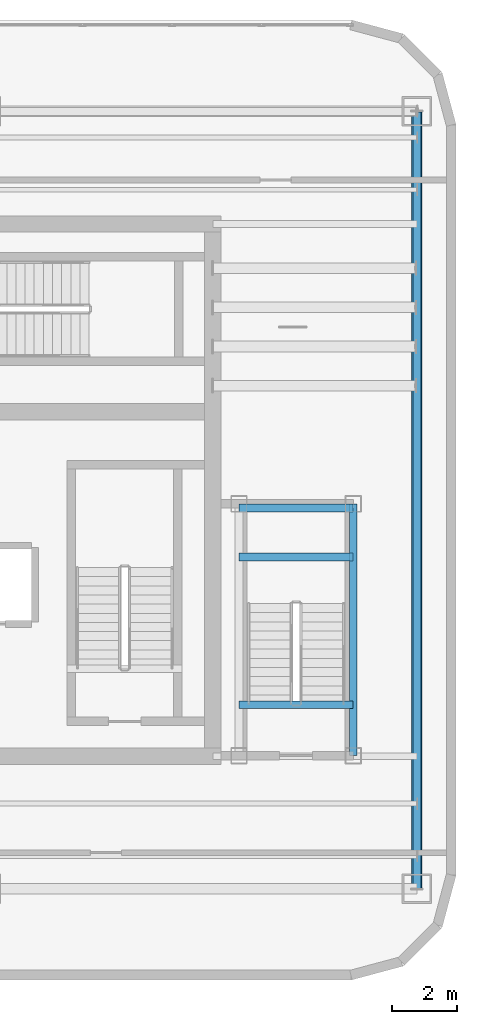
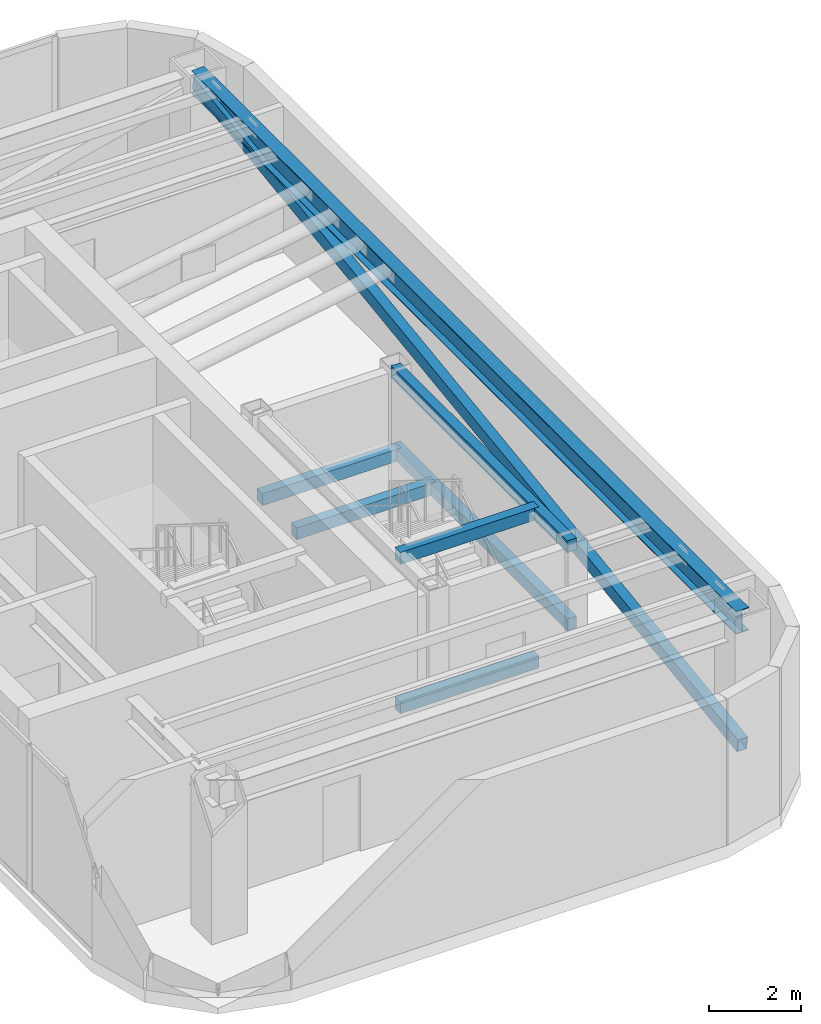
# One storey, part 4 of 9: 7 beams, 1 member.
"""IFC4 building model written with IfcOpenShell, lengths in metres."""

import ifcopenshell
import ifcopenshell.guid

model = None  # the IFC model being written
_history = None  # IfcOwnerHistory: only IFC2X3 demands one
_inside = {}  # id of a spatial element -> (the spatial element, [elements in it])
_under = {}  # id of a project, library or spatial element -> (it, [spatial elements below it])
_declared = {}  # id of a project -> (the project, [libraries it declares])
_typed = {}  # id of a type object -> (the type object, [elements of that type])
_made_of = {}  # id of a material, layer set ... -> (it, [elements and type objects made of it])


def new_model(schema):
    """Start an empty IFC model of exactly this schema.

    Asked for "IFC4X3", IfcOpenShell would pick the latest addendum, in which some entities
    have other attributes; the version numbers below select the first issue.
    IFC2X3 requires an IfcOwnerHistory on every rooted entity: one is made here for all.
    """
    global model, _history
    if schema == "IFC4X3":
        model = ifcopenshell.file(schema_version=(4, 3, 0, 0))
    else:
        model = ifcopenshell.file(schema=schema)
    _inside.clear()
    _under.clear()
    _declared.clear()
    _typed.clear()
    _made_of.clear()
    _history = None
    if model.schema == "IFC2X3":
        org = make("IfcOrganization", Name="unknown")
        user = make(
            "IfcPersonAndOrganization",
            ThePerson=make("IfcPerson", FamilyName="unknown"),
            TheOrganization=org,
        )
        app = make(
            "IfcApplication",
            ApplicationDeveloper=org,
            Version="unknown",
            ApplicationFullName="unknown",
            ApplicationIdentifier="unknown",
        )
        _history = make(
            "IfcOwnerHistory",
            OwningUser=user,
            OwningApplication=app,
            ChangeAction="ADDED",
            CreationDate=0,
        )
    return model


def make(cls, **values):
    """One entity of the class cls with the attributes given. An attribute that is None is left unset."""
    return model.create_entity(
        cls, **{name: value for name, value in values.items() if value is not None}
    )


def rooted(cls, **values):
    """An entity with a GlobalId (a new one), such as an element, a storey or a relation."""
    return make(cls, GlobalId=ifcopenshell.guid.new(), OwnerHistory=_history, **values)


def si_unit(unit_type, name, prefix=None):
    """IfcSIUnit, for example si_unit("LENGTHUNIT", "METRE", prefix="MILLI")."""
    return make("IfcSIUnit", UnitType=unit_type, Prefix=prefix, Name=name)


def assignment(units):
    """IfcUnitAssignment: the units of a project."""
    return None if units is None else make("IfcUnitAssignment", Units=units)


def point(xyz):
    """IfcCartesianPoint."""
    return None if xyz is None else make("IfcCartesianPoint", Coordinates=xyz)


def direction(xyz):
    """IfcDirection."""
    return None if xyz is None else make("IfcDirection", DirectionRatios=xyz)


def frame(location, z_axis=None, x_axis=None):
    """IfcAxis2Placement3D, a coordinate frame: its origin and axes. An axis left out is left unset."""
    return make(
        "IfcAxis2Placement3D",
        Location=point(location),
        Axis=direction(z_axis),
        RefDirection=direction(x_axis),
    )


def frame_2d(location, x_axis=None):
    """IfcAxis2Placement2D, a coordinate frame in the plane: its origin and x axis."""
    return make(
        "IfcAxis2Placement2D", Location=point(location), RefDirection=direction(x_axis)
    )


def origin():
    """The frame at (0, 0, 0) with its axes left unset."""
    return frame((0.0, 0.0, 0.0))


def origin_2d():
    """The frame at (0, 0) in the plane with its x axis left unset."""
    return frame_2d((0.0, 0.0))


def place(relative_to, where):
    """IfcLocalPlacement: puts the frame where relative to a parent placement (None: the world)."""
    return make(
        "IfcLocalPlacement", PlacementRelTo=relative_to, RelativePlacement=where
    )


def context(
    kind, dimensions, precision=None, world=None, true_north=None, identifier=None
):
    """IfcGeometricRepresentationContext, for example the 3D "Model" context."""
    return make(
        "IfcGeometricRepresentationContext",
        ContextIdentifier=identifier,
        ContextType=kind,
        CoordinateSpaceDimension=dimensions,
        Precision=precision,
        WorldCoordinateSystem=world,
        TrueNorth=true_north,
    )


def subcontext(parent, identifier, kind, view, scale=None):
    """IfcGeometricRepresentationSubContext, for example "Body" below "Model"."""
    return make(
        "IfcGeometricRepresentationSubContext",
        ContextIdentifier=identifier,
        ContextType=kind,
        ParentContext=parent,
        TargetScale=scale,
        TargetView=view,
    )


def project(units=None, contexts=None):
    """IfcProject with its units and contexts."""
    return rooted(
        "IfcProject",
        Name="project",
        RepresentationContexts=contexts,
        UnitsInContext=assignment(units),
    )


def spatial(cls, under=None, at=None, **own):
    """A site, building, storey or space (cls), placed at a placement, below another one or the project."""
    s = rooted(cls, ObjectPlacement=at, **own)
    if under is not None:
        _under.setdefault(under.id(), (under, []))[1].append(s)
    return s


def profile(cls, at=None, kind="AREA", **sizes):
    """A parametric profile (cls). Its sizes go by their IFC names, for example OverallWidth=200.0."""
    return make(cls, ProfileType=kind, Position=at, **sizes)


def rectangle(**sizes):
    """IfcRectangleProfileDef."""
    return profile("IfcRectangleProfileDef", **sizes)


def hollow_rectangle(**sizes):
    """IfcRectangleHollowProfileDef."""
    return profile("IfcRectangleHollowProfileDef", **sizes)


def i_section(**sizes):
    """IfcIShapeProfileDef."""
    return profile("IfcIShapeProfileDef", **sizes)


def extrude(swept, where, along, depth):
    """IfcExtrudedAreaSolid: the profile swept, set in the frame where, extruded along a direction by depth."""
    return make(
        "IfcExtrudedAreaSolid",
        SweptArea=swept,
        Position=where,
        ExtrudedDirection=direction(along),
        Depth=depth,
    )


def shape(context_of_items, identifier, shape_type, items):
    """IfcShapeRepresentation: the items that make up one representation, for example the "Body"."""
    return make(
        "IfcShapeRepresentation",
        ContextOfItems=context_of_items,
        RepresentationIdentifier=identifier,
        RepresentationType=shape_type,
        Items=items,
    )


def material(Name=None, Category=None):
    """IfcMaterial."""
    return make("IfcMaterial", Name=Name, Category=Category)


def material_profile(
    of_material, cross_section, Name=None, Category=None, Priority=None
):
    """IfcMaterialProfile: a cross section and its material."""
    return make(
        "IfcMaterialProfile",
        Name=Name,
        Material=of_material,
        Profile=cross_section,
        Priority=Priority,
        Category=Category,
    )


def profile_set(profiles, Name=None, composite=None):
    """IfcMaterialProfileSet."""
    return make(
        "IfcMaterialProfileSet",
        Name=Name,
        MaterialProfiles=profiles,
        CompositeProfile=composite,
    )


def made_of(thing, what):
    """Note that an element or type object is made of a material, layer set ...; save() writes the relation."""
    if what is not None:
        _made_of.setdefault(what.id(), (what, []))[1].append(thing)
    return thing


def type_object(cls, material=None, **own):
    """A type object (cls), such as IfcWallType, which elements share."""
    return made_of(rooted(cls, **own), material)


def element(
    cls,
    number,
    at=None,
    inside=None,
    cuts=None,
    type_object=None,
    material=None,
    context=None,
    identifier="Body",
    shape_type=None,
    held_by="IfcProductDefinitionShape",
    body=None,
    shapes=None,
    **own,
):
    """One element of the class cls, such as IfcWall. Its Tag is "e" and its number.

    at: its placement. inside: the storey or other place that contains it. cuts: it is an
    opening in that element (IfcRelVoidsElement). A single representation is given by context,
    identifier, shape_type and body (its items); several are given by shapes. held_by: the class
    of the entity that holds the representations. save() writes the other relations.
    """
    e = rooted(cls, Tag="e%d" % number, ObjectPlacement=at, **own)
    if body is not None:
        shapes = [shape(context, identifier, shape_type, body)]
    if shapes is not None:
        e.Representation = make(held_by, Representations=shapes)
    if inside is not None:
        _inside.setdefault(inside.id(), (inside, []))[1].append(e)
    if cuts is not None:
        rooted(
            "IfcRelVoidsElement", RelatingBuildingElement=cuts, RelatedOpeningElement=e
        )
    if type_object is not None:
        _typed.setdefault(type_object.id(), (type_object, []))[1].append(e)
    return made_of(e, material)


def aggregate(whole, parts):
    """IfcRelAggregates: a whole, such as a stair, and the parts it consists of."""
    return rooted("IfcRelAggregates", RelatingObject=whole, RelatedObjects=parts)


def save(model, path):
    """Write the relations noted so far, then the file.

    IfcRelAggregates (storeys below a building ...), IfcRelContainedInSpatialStructure (elements
    in a storey), IfcRelDefinesByType, IfcRelAssociatesMaterial and IfcRelDeclares: one each for
    every whole, place, type object, material and project.
    """
    for whole, parts in _under.values():
        aggregate(whole, parts)
    for where, things in _inside.values():
        rooted(
            "IfcRelContainedInSpatialStructure",
            RelatedElements=things,
            RelatingStructure=where,
        )
    for kind, things in _typed.values():
        rooted("IfcRelDefinesByType", RelatedObjects=things, RelatingType=kind)
    for what, things in _made_of.values():
        rooted("IfcRelAssociatesMaterial", RelatedObjects=things, RelatingMaterial=what)
    for by, libraries in _declared.values():
        rooted("IfcRelDeclares", RelatingContext=by, RelatedDefinitions=libraries)
    model.write(path)


model = new_model("IFC4")

# Units and contexts
model_context = context("Model", 3, precision=1e-05, world=origin(), true_north=direction((0.0, 1.0)))
body_context = subcontext(model_context, "Body", "Model", "MODEL_VIEW")
ifc_project = project(units=[si_unit("LENGTHUNIT", "METRE"), si_unit("AREAUNIT", "SQUARE_METRE"), si_unit("VOLUMEUNIT", "CUBIC_METRE"), si_unit("PLANEANGLEUNIT", "RADIAN"), si_unit("MASSUNIT", "GRAM", prefix="KILO")], contexts=[model_context])

# Site, building, storey
site_placement = place(None, origin())
site = spatial("IfcSite", under=ifc_project, at=site_placement, CompositionType="ELEMENT")
building_placement = place(site_placement, origin())
building = spatial("IfcBuilding", under=site, at=building_placement, Name="Kiyonajd Concourse Tower", CompositionType="ELEMENT")
storey_placement = place(building_placement, frame((0.0, 0.0, 372.89990234375)))
storey = spatial("IfcBuildingStorey", under=building, at=storey_placement, Name="L93", CompositionType="ELEMENT", Elevation=372.89990234375)

# Beams
ifc_material_1 = material(Name="Concrete C50/60", Category="concrete")
ifc_material_profile_1 = material_profile(ifc_material_1, rectangle(XDim=0.239990234375, YDim=0.320068359375, at=origin_2d()), Name="RCBM-240x320")
ifc_profile_set_1 = profile_set([ifc_material_profile_1], Name="Concrete C50/60")
beam_type_1 = type_object("IfcBeamType", Name="BM-LNT-250", PredefinedType="LINTEL", material=ifc_profile_set_1)
for number, where, z_axis, x_axis, name in (
    (1, (64.14990234375, 29.429931640625, -0.159912109375), (1.0, 0.0, 0.0), (0.0, 1.0, 0.0), "L93 Stair ST6 Threshold Support Beam"),
    (2, (64.14990234375, 33.949951171875, 1.739990234375), (1.0, 0.0, 0.0), (0.0, 1.0, 0.0), "L93 Stair ST6 Landing Support Beam"),
    (3, (64.14990234375, 35.449951171875, 1.739990234375), (1.0, 0.0, 0.0), (0.0, 1.0, 0.0), "L93 Stair ST6 Landing Support Beam"),
):
    element("IfcBeam", number, at=place(storey_placement, frame(where, z_axis=z_axis, x_axis=x_axis)), inside=storey, type_object=beam_type_1, Name=name, PredefinedType="LINTEL", context=body_context, shape_type="SweptSolid", body=[
        extrude(rectangle(XDim=0.239990234375, YDim=0.320068359375, at=origin_2d()), origin(), (0.0, 0.0, 1.0), 3.5),
    ])
for number, where, z_axis, x_axis, name in (
    (4, (67.64990234375, 27.8701171875, 1.739990234375), (0.0, 1.0, 0.0), (-1.0, 0.0, 0.0), "L93 Stair ST6 Side Stringer Beam"),
    (5, (67.64990234375, 27.8701171875, 3.820068359375), (0.0, 1.0, 0.0), (-1.0, 0.0, 0.0), "L93 Stair ST6 Roof Rim Beam TOP-E"),
):
    element("IfcBeam", number, at=place(storey_placement, frame(where, z_axis=z_axis, x_axis=x_axis)), inside=storey, type_object=beam_type_1, Name=name, PredefinedType="LINTEL", context=body_context, shape_type="SweptSolid", body=[
        extrude(rectangle(XDim=0.239990234375, YDim=0.320068359375, at=origin_2d()), origin(), (0.0, 0.0, 1.0), 7.7099609375),
    ])
beam_1_placement = place(storey_placement, frame((64.14990234375, 29.429931640625, 3.820068359375), z_axis=(1.0, 0.0, 0.0), x_axis=(0.0, 1.0, 0.0)))
element("IfcBeam", 6, at=beam_1_placement, inside=storey, type_object=beam_type_1, Name="ROOF Stair ST6 Threshold Support Beam", PredefinedType="LINTEL", context=body_context, shape_type="SweptSolid", body=[
    extrude(rectangle(XDim=0.239990234375, YDim=0.320068359375, at=origin_2d()), origin(), (0.0, 0.0, 1.0), 3.5),
])
ifc_material_2 = material(Name="Steel ASTM A992 Grade 50", Category="steel")
ifc_material_profile_2 = material_profile(ifc_material_2, i_section(OverallWidth=0.323974609375, OverallDepth=0.611083984375, WebThickness=0.0126953125, FlangeThickness=0.01904296875, at=origin_2d()), Name="W610X155")
ifc_profile_set_2 = profile_set([ifc_material_profile_2], Name="Steel ASTM A992 Grade 50")
beam_type_2 = type_object("IfcBeamType", Name="BM-TWR-610B", PredefinedType="BEAM", material=ifc_profile_set_2)
beam_2_placement = place(storey_placement, frame((69.60009765625, 23.800048828125, 3.594482421875), z_axis=(0.0, 1.0, 0.0), x_axis=(-1.0, 0.0, 0.0)))
element("IfcBeam", 7, at=beam_2_placement, inside=storey, type_object=beam_type_2, Name="L93 E Crown Ring Beam 2", PredefinedType="BEAM", context=body_context, shape_type="SweptSolid", body=[
    extrude(i_section(OverallWidth=0.323974609375, OverallDepth=0.611083984375, WebThickness=0.0126953125, FlangeThickness=0.01904296875, at=origin_2d()), origin(), (0.0, 0.0, 1.0), 23.800048828125),
])

# Member
ifc_material_3 = material(Name="Steel ASTM A500 Grade C", Category="steel")
ifc_material_profile_3 = material_profile(ifc_material_3, hollow_rectangle(XDim=0.25, YDim=0.35009765625, WallThickness=0.01611328125, at=origin_2d()), Name="HSS-350x250x16")
ifc_profile_set_3 = profile_set([ifc_material_profile_3], Name="Steel ASTM A500 Grade C")
member_type = type_object("IfcMemberType", Name="MB-CRN-BRC", PredefinedType="BRACE", material=ifc_profile_set_3)
member_placement = place(storey_placement, frame((69.60009765625, 23.800048828125, 0.300048828125), z_axis=(0.0, 0.990804854905, 0.135298704708), x_axis=(-1.0, 0.0, 0.0)))
element("IfcMember", 8, at=member_placement, inside=storey, type_object=member_type, Name="L93 E Crown Wind Brace 2", PredefinedType="BRACE", context=body_context, shape_type="SweptSolid", body=[
    extrude(hollow_rectangle(XDim=0.25, YDim=0.35009765625, WallThickness=0.01611328125, at=origin_2d()), origin(), (0.0, 0.0, 1.0), 24.02099609375),
])

save(model, "model.ifc")
